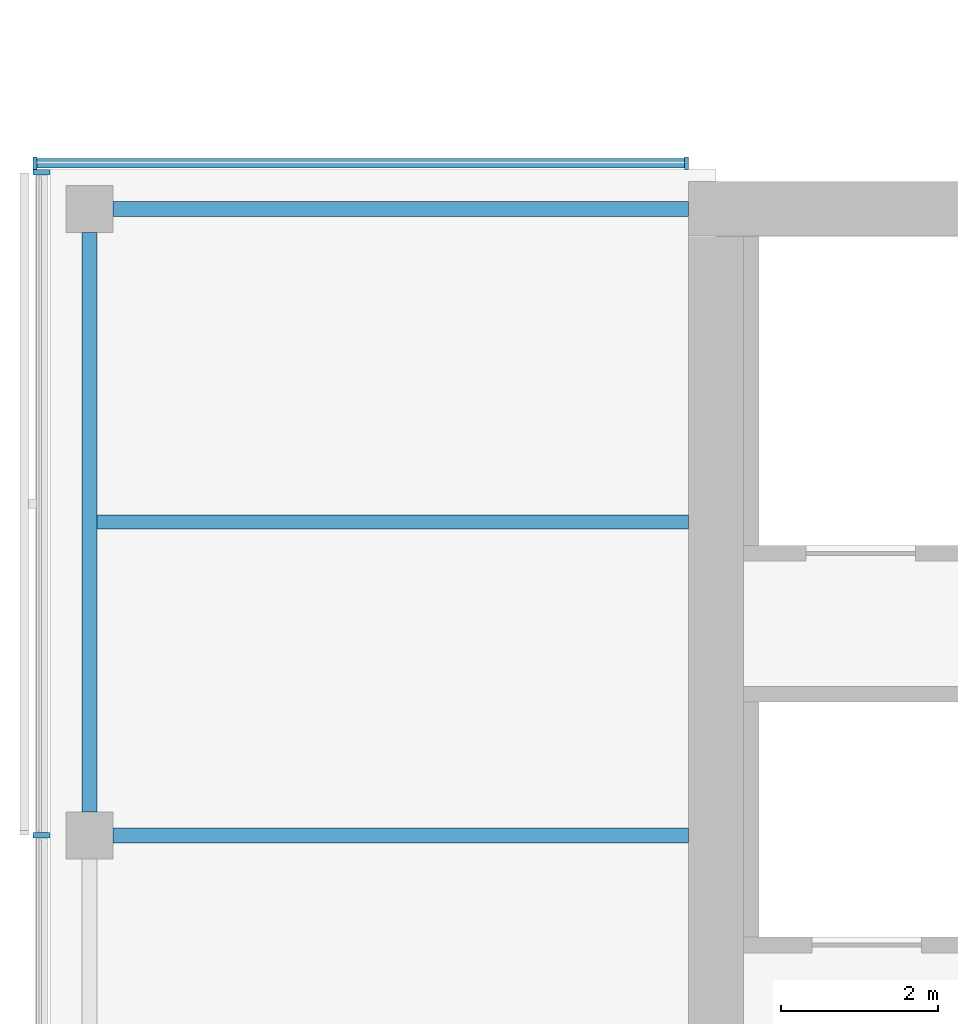
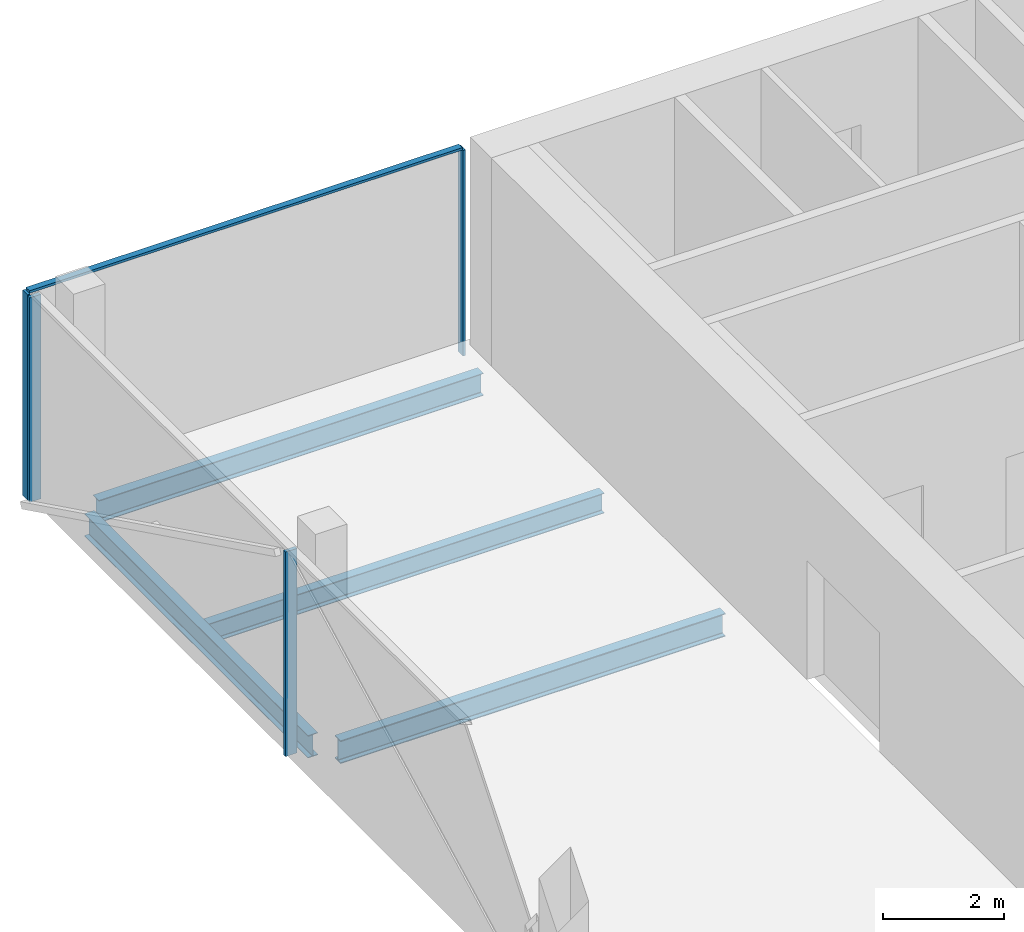
# One storey, part 7 of 22: 5 members, 4 beams, 2 elements without a shape of their own.
"""IFC4 building model written with IfcOpenShell, lengths in metres."""

from ifc_helpers import new_model, si_unit, direction, frame, origin, origin_2d, place, context, subcontext, project, spatial, rectangle, i_section, extrude, material, material_profile, profile_set, type_object, element, aggregate, save


model = new_model("IFC4")

# Units and contexts
model_context = context("Model", 3, precision=1e-05, world=origin(), true_north=direction((0.0, 1.0)))
body_context = subcontext(model_context, "Body", "Model", "MODEL_VIEW")
ifc_project = project(units=[si_unit("LENGTHUNIT", "METRE"), si_unit("AREAUNIT", "SQUARE_METRE"), si_unit("VOLUMEUNIT", "CUBIC_METRE"), si_unit("PLANEANGLEUNIT", "RADIAN"), si_unit("MASSUNIT", "GRAM", prefix="KILO")], contexts=[model_context])

# Site, building, storey
site_placement = place(None, origin())
site = spatial("IfcSite", under=ifc_project, at=site_placement, CompositionType="ELEMENT")
building_placement = place(site_placement, origin())
building = spatial("IfcBuilding", under=site, at=building_placement, Name="Crosswind Convention Tower", CompositionType="ELEMENT")
storey_placement = place(building_placement, frame((0.0, 0.0, 133.699951171875)))
storey = spatial("IfcBuildingStorey", under=building, at=storey_placement, Name="L27", CompositionType="ELEMENT", Elevation=133.699951171875)

# Beams
ifc_material_1 = material(Name="Steel S355", Category="steel")
ifc_material_profile_1 = material_profile(ifc_material_1, i_section(OverallWidth=0.18994140625, OverallDepth=0.45361328125, WebThickness=0.008544921875, FlangeThickness=0.0126953125, FilletRadius=0.01025390625, at=origin_2d()), Name="UB 457x191x67")
ifc_profile_set_1 = profile_set([ifc_material_profile_1], Name="Steel S355")
beam_type_1 = type_object("IfcBeamType", Name="Edge beam UB 457x191x67", PredefinedType="SPANDREL", material=ifc_profile_set_1)
beam_1_placement = place(storey_placement, frame((89.0, 104.300048828125, -0.52685546875), z_axis=(0.0, 1.0, 0.0), x_axis=(-1.0, 0.0, 0.0)))
element("IfcBeam", 1, at=beam_1_placement, inside=storey, type_object=beam_type_1, Name="B16 L27 edge beam 3", PredefinedType="SPANDREL", context=body_context, shape_type="SweptSolid", body=[
    extrude(i_section(OverallWidth=0.18994140625, OverallDepth=0.45361328125, WebThickness=0.008544921875, FlangeThickness=0.0126953125, FilletRadius=0.01025390625, at=origin_2d()), origin(), (0.0, 0.0, 1.0), 7.39990234375),
])
beam_2_placement = place(storey_placement, frame((89.300048828125, 112.0, -0.52685546875), z_axis=(1.0, 0.0, 0.0), x_axis=(0.0, 1.0, 0.0)))
element("IfcBeam", 2, at=beam_2_placement, inside=storey, type_object=beam_type_1, Name="B16 L27 edge beam 5", PredefinedType="SPANDREL", context=body_context, shape_type="SweptSolid", body=[
    extrude(i_section(OverallWidth=0.18994140625, OverallDepth=0.45361328125, WebThickness=0.008544921875, FlangeThickness=0.0126953125, FilletRadius=0.01025390625, at=origin_2d()), origin(), (0.0, 0.0, 1.0), 7.349853515625),
])
ifc_material_profile_2 = material_profile(ifc_material_1, i_section(OverallWidth=0.19189453125, OverallDepth=0.463623046875, WebThickness=0.010498046875, FlangeThickness=0.017578125, FilletRadius=0.01025390625, at=origin_2d()), Name="UB 457x191x90")
ifc_profile_set_2 = profile_set([ifc_material_profile_2], Name="Steel S355")
beam_type_2 = type_object("IfcBeamType", Name="Girder at core wall UB 457x191x90", PredefinedType="BEAM", material=ifc_profile_set_2)
beam_3_placement = place(storey_placement, frame((89.300048828125, 104.0, -0.53173828125), z_axis=(1.0, 0.0, 0.0), x_axis=(0.0, 1.0, 0.0)))
element("IfcBeam", 3, at=beam_3_placement, inside=storey, type_object=beam_type_2, Name="B24 L27 girder at core wall 2", PredefinedType="BEAM", context=body_context, shape_type="SweptSolid", body=[
    extrude(i_section(OverallWidth=0.19189453125, OverallDepth=0.463623046875, WebThickness=0.010498046875, FlangeThickness=0.017578125, FilletRadius=0.01025390625, at=origin_2d()), origin(), (0.0, 0.0, 1.0), 7.349853515625),
])

# Curtain wall, members
ifc_material_2 = material(Name="Aluminium unitised curtain wall", Category="aluminium")
curtain_wall_type_1 = type_object("IfcCurtainWallType", Name="CORE END SLOT WALL 160", PredefinedType="USERDEFINED", material=ifc_material_2)
curtain_wall_1_placement = place(storey_placement, origin())
curtain_wall_1 = element("IfcCurtainWall", 4, at=curtain_wall_1_placement, inside=storey, type_object=curtain_wall_type_1, Name="CW6 L27 W-N.2-1 slot", ObjectType="UNITISED", PredefinedType="USERDEFINED")
ifc_material_3 = material(Name="Aluminium mullion", Category="aluminium")
ifc_material_profile_3 = material_profile(ifc_material_3, rectangle(XDim=0.159912109375, YDim=0.050048828125, at=origin_2d()), Name="AL 160X50")
ifc_profile_set_3 = profile_set([ifc_material_profile_3], Name="Aluminium mullion")
member_type_1 = type_object("IfcMemberType", Name="MULLION 50X160", PredefinedType="MULLION", material=ifc_profile_set_3)
member_1_placement = place(storey_placement, frame((96.625, 112.580078125, -0.300048828125), z_axis=(0.0, 0.0, 1.0), x_axis=(0.0, 1.0, 0.0)))
member_1 = element("IfcMember", 5, at=member_1_placement, type_object=member_type_1, Name="CW6 mullion 1", PredefinedType="MULLION", context=body_context, shape_type="SweptSolid", body=[
    extrude(rectangle(XDim=0.159912109375, YDim=0.050048828125, at=origin_2d()), origin(), (0.0, 0.0, 1.0), 4.150146484375),
])
member_2_placement = place(storey_placement, frame((88.304931640625, 112.580078125, -0.300048828125), z_axis=(0.0, 0.0, 1.0), x_axis=(0.0, 1.0, 0.0)))
member_2 = element("IfcMember", 6, at=member_2_placement, type_object=member_type_1, Name="CW6 mullion 2", PredefinedType="MULLION", context=body_context, shape_type="SweptSolid", body=[
    extrude(rectangle(XDim=0.159912109375, YDim=0.050048828125, at=origin_2d()), origin(), (0.0, 0.0, 1.0), 4.150146484375),
])

curtain_wall_type_2 = type_object("IfcCurtainWallType", Name="OFFICE UNITISED WALL 220", PredefinedType="USERDEFINED", material=ifc_material_2)
curtain_wall_2_placement = place(storey_placement, origin())
curtain_wall_2 = element("IfcCurtainWall", 7, at=curtain_wall_2_placement, inside=storey, type_object=curtain_wall_type_2, Name="CW3 L27 W-TIP 1", ObjectType="UNITISED", PredefinedType="USERDEFINED")
ifc_material_profile_4 = material_profile(ifc_material_3, rectangle(XDim=0.219970703125, YDim=0.070068359375, at=origin_2d()), Name="AL 220X70")
ifc_profile_set_4 = profile_set([ifc_material_profile_4], Name="Aluminium mullion")
member_type_2 = type_object("IfcMemberType", Name="MULLION 70X220", PredefinedType="MULLION", material=ifc_profile_set_4)
member_3_placement = place(storey_placement, frame((88.389892578125, 112.465087890625, -0.300048828125), z_axis=(0.0, 0.0, 1.0), x_axis=(-1.0, 0.0, 0.0)))
member_3 = element("IfcMember", 8, at=member_3_placement, type_object=member_type_2, Name="CW3 mullion 1", PredefinedType="MULLION", context=body_context, shape_type="SweptSolid", body=[
    extrude(rectangle(XDim=0.219970703125, YDim=0.070068359375, at=origin_2d()), origin(), (0.0, 0.0, 1.0), 4.130126953125),
])
member_4_placement = place(storey_placement, frame((88.389892578125, 104.0, -0.300048828125), z_axis=(0.0, 0.0, 1.0), x_axis=(-1.0, 0.0, 0.0)))
member_4 = element("IfcMember", 9, at=member_4_placement, type_object=member_type_2, Name="CW3 mullion 2", PredefinedType="MULLION", context=body_context, shape_type="SweptSolid", body=[
    extrude(rectangle(XDim=0.219970703125, YDim=0.070068359375, at=origin_2d()), origin(), (0.0, 0.0, 1.0), 4.130126953125),
])
aggregate(curtain_wall_2, [member_3, member_4])

# Beam
ifc_material_profile_5 = material_profile(ifc_material_1, i_section(OverallWidth=0.177734375, OverallDepth=0.406494140625, WebThickness=0.0078125, FlangeThickness=0.0126953125, FilletRadius=0.01025390625, at=origin_2d()), Name="UB 406x178x60")
ifc_profile_set_5 = profile_set([ifc_material_profile_5], Name="Steel S355")
beam_type_3 = type_object("IfcBeamType", Name="Secondary beam UB 406x178x60", PredefinedType="JOIST", material=ifc_profile_set_5)
beam_4_placement = place(storey_placement, frame((89.094970703125, 108.0, -0.503173828125), z_axis=(1.0, 0.0, 0.0), x_axis=(0.0, 1.0, 0.0)))
element("IfcBeam", 10, at=beam_4_placement, inside=storey, type_object=beam_type_3, Name="B10 L27 secondary beam 3", PredefinedType="JOIST", context=body_context, shape_type="SweptSolid", body=[
    extrude(i_section(OverallWidth=0.177734375, OverallDepth=0.406494140625, WebThickness=0.0078125, FlangeThickness=0.0126953125, FilletRadius=0.01025390625, at=origin_2d()), origin(), (0.0, 0.0, 1.0), 7.554931640625),
])

# Member
ifc_material_4 = material(Name="Aluminium transom", Category="aluminium")
ifc_material_profile_6 = material_profile(ifc_material_4, rectangle(XDim=0.1201171875, YDim=0.050048828125, at=origin_2d()), Name="AL 120X50")
ifc_profile_set_6 = profile_set([ifc_material_profile_6], Name="Aluminium transom")
member_type_3 = type_object("IfcMemberType", Name="TRANSOM 50X120", PredefinedType="USERDEFINED", material=ifc_profile_set_6)
member_5_placement = place(storey_placement, frame((96.60009765625, 112.580078125, 3.875), z_axis=(-1.0, 0.0, 0.0), x_axis=(0.0, -1.0, 0.0)))
member_5 = element("IfcMember", 11, at=member_5_placement, type_object=member_type_3, Name="CW6 transom", ObjectType="TRANSOM", PredefinedType="USERDEFINED", context=body_context, shape_type="SweptSolid", body=[
    extrude(rectangle(XDim=0.1201171875, YDim=0.050048828125, at=origin_2d()), origin(), (0.0, 0.0, 1.0), 8.27001953125),
])

aggregate(curtain_wall_1, [member_1, member_2, member_5])

save(model, "model.ifc")
